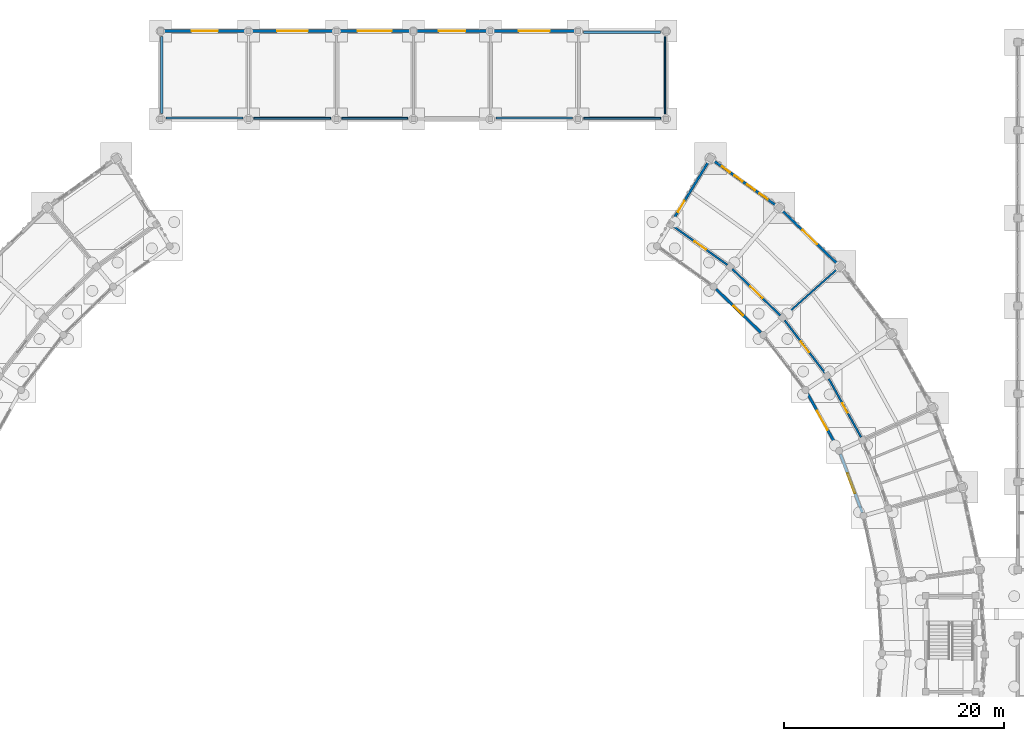
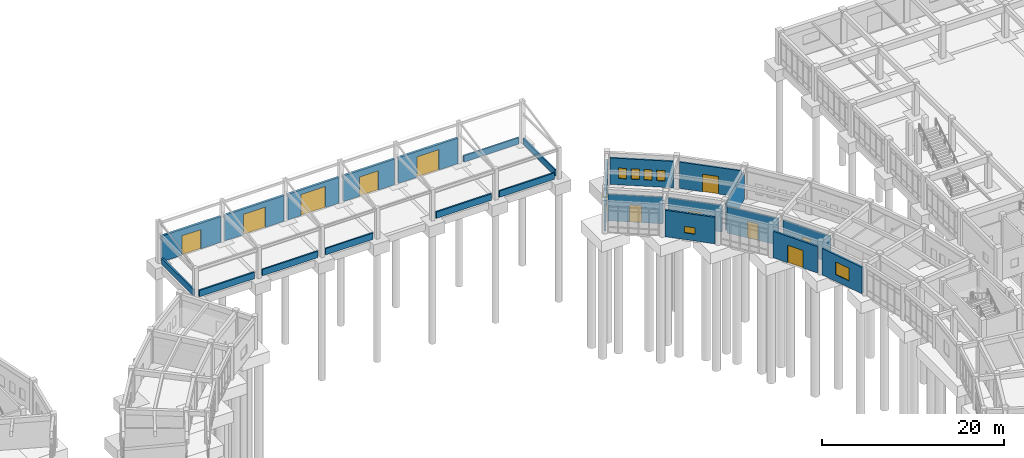
# One storey, part 131 of 153: 24 walls, 12 doors, 6 windows, 18 openings.
"""IFC4 building model written with IfcOpenShell, lengths in metres."""

from ifc_helpers import new_model, si_unit, direction, frame, frame_2d, origin, place, context, subcontext, project, spatial, rectangle, extrude, material, layer, layer_set, type_object, element, fill, save


model = new_model("IFC4")

# Units and contexts
model_context = context("Model", 3, precision=1e-05, world=origin(), true_north=direction((0.0, 1.0)))
body_context = subcontext(model_context, "Body", "Model", "MODEL_VIEW")
ifc_project = project(units=[si_unit("LENGTHUNIT", "METRE"), si_unit("AREAUNIT", "SQUARE_METRE"), si_unit("VOLUMEUNIT", "CUBIC_METRE"), si_unit("PLANEANGLEUNIT", "RADIAN"), si_unit("MASSUNIT", "GRAM", prefix="KILO")], contexts=[model_context])

# Site, building, storey
site_placement = place(None, origin())
site = spatial("IfcSite", under=ifc_project, at=site_placement, CompositionType="ELEMENT")
building_placement = place(site_placement, origin())
building = spatial("IfcBuilding", under=site, at=building_placement, Name="Celadon Cloister-Ring School", CompositionType="ELEMENT")
storey_placement = place(building_placement, origin())
storey = spatial("IfcBuildingStorey", under=building, at=storey_placement, Name="L00", CompositionType="ELEMENT", Elevation=0.0)

# Wall, opening, door
ifc_material_1 = material(Name="Rendered concrete blockwork", Category="masonry")
ifc_layer_1 = layer(ifc_material_1, 0.280029296875)
ifc_layer_set_1 = layer_set([ifc_layer_1], Name="Rendered concrete blockwork")
wall_type_1 = type_object("IfcWallType", Name="WT-EX1", PredefinedType="SOLIDWALL", material=ifc_layer_set_1)
wall_1_placement = place(storey_placement, frame((64.277099609375, 115.0, 0.0), z_axis=(0.0, 0.0, 1.0), x_axis=(1.0, 0.0, 0.0)))
wall_1 = element("IfcWall", 1, at=wall_1_placement, inside=storey, type_object=wall_type_1, Name="Exterior Wall 0569", PredefinedType="SOLIDWALL", context=body_context, shape_type="SweptSolid", body=[
    extrude(rectangle(XDim=7.495849609375, YDim=0.280029296875, at=frame_2d((3.748046875, 0.0))), origin(), (0.0, 0.0, 1.0), 3.449951171875),
])
opening_1_placement = place(wall_1_placement, frame((2.548095703125, 0.0, 0.0)))
opening_1 = element("IfcOpeningElement", 2, at=opening_1_placement, cuts=wall_1, Name="Opening D-0028", PredefinedType="OPENING", context=body_context, shape_type="SweptSolid", body=[
    extrude(rectangle(XDim=2.39990234375, YDim=2.60009765625, at=frame_2d((1.199951171875, 1.300048828125))), frame((0.0, 0.14990234375, 0.0), z_axis=(0.0, -1.0, 0.0), x_axis=(1.0, 0.0, 0.0)), (0.0, 0.0, 1.0), 0.300048828125),
])
ifc_material_2 = material(Name="Aluminium EN AW-6063 T6", Category="aluminium")
door_type_1 = type_object("IfcDoorType", Name="DG-01", OperationType="NOTDEFINED", PredefinedType="GATE", material=ifc_material_2)
door_1_placement = place(opening_1_placement, origin())
door_1 = element("IfcDoor", 3, at=door_1_placement, inside=storey, type_object=door_type_1, Name="Exterior Door D-0028", OperationType="SINGLE_SWING_RIGHT", OverallHeight=2.60009765625, OverallWidth=2.39990234375, PredefinedType="GATE", context=body_context, shape_type="SweptSolid", body=[
    extrude(rectangle(XDim=2.39990234375, YDim=2.60009765625, at=frame_2d((1.199951171875, 1.300048828125))), frame((0.0, 0.02490234375, 0.0), z_axis=(0.0, -1.0, 0.0), x_axis=(1.0, 0.0, 0.0)), (0.0, 0.0, 1.0), 0.050048828125),
])
fill(opening_1, door_1)

wall_2_placement = place(storey_placement, frame((72.22705078125, 115.0, 0.0), z_axis=(0.0, 0.0, 1.0), x_axis=(1.0, 0.0, 0.0)))
wall_2 = element("IfcWall", 4, at=wall_2_placement, inside=storey, type_object=wall_type_1, Name="Exterior Wall 0570", PredefinedType="SOLIDWALL", context=body_context, shape_type="SweptSolid", body=[
    extrude(rectangle(XDim=7.5458984375, YDim=0.280029296875, at=frame_2d((3.77294921875, 0.0))), origin(), (0.0, 0.0, 1.0), 3.449951171875),
])
opening_2_placement = place(wall_2_placement, frame((2.373046875, 0.0, 0.0)))
opening_2 = element("IfcOpeningElement", 5, at=opening_2_placement, cuts=wall_2, Name="Opening D-0029", PredefinedType="OPENING", context=body_context, shape_type="SweptSolid", body=[
    extrude(rectangle(XDim=2.800048828125, YDim=2.75, at=frame_2d((1.39990234375, 1.375))), frame((0.0, 0.14990234375, 0.0), z_axis=(0.0, -1.0, 0.0), x_axis=(1.0, 0.0, 0.0)), (0.0, 0.0, 1.0), 0.300048828125),
])
ifc_material_3 = material(Name="Aluminium EN AW-6063 T6", Category="aluminium")
door_type_2 = type_object("IfcDoorType", Name="DG-02", OperationType="NOTDEFINED", PredefinedType="GATE", material=ifc_material_3)
door_2_placement = place(opening_2_placement, origin())
door_2 = element("IfcDoor", 6, at=door_2_placement, inside=storey, type_object=door_type_2, Name="Exterior Door D-0029", OperationType="SINGLE_SWING_LEFT", OverallHeight=2.75, OverallWidth=2.800048828125, PredefinedType="GATE", context=body_context, shape_type="SweptSolid", body=[
    extrude(rectangle(XDim=2.800048828125, YDim=2.75, at=frame_2d((1.39990234375, 1.375))), frame((0.0, 0.02490234375, 0.0), z_axis=(0.0, -1.0, 0.0), x_axis=(1.0, 0.0, 0.0)), (0.0, 0.0, 1.0), 0.050048828125),
])
fill(opening_2, door_2)

wall_3_placement = place(storey_placement, frame((80.22705078125, 115.0, 0.0), z_axis=(0.0, 0.0, 1.0), x_axis=(1.0, 0.0, 0.0)))
wall_3 = element("IfcWall", 7, at=wall_3_placement, inside=storey, type_object=wall_type_1, Name="Exterior Wall 0571", PredefinedType="SOLIDWALL", context=body_context, shape_type="SweptSolid", body=[
    extrude(rectangle(XDim=6.495849609375, YDim=0.280029296875, at=frame_2d((3.248046875, 0.0))), origin(), (0.0, 0.0, 1.0), 3.449951171875),
])
opening_3_placement = place(wall_3_placement, frame((1.697998046875, 0.0, 0.0)))
opening_3 = element("IfcOpeningElement", 8, at=opening_3_placement, cuts=wall_3, Name="Opening D-0030", PredefinedType="OPENING", context=body_context, shape_type="SweptSolid", body=[
    extrude(rectangle(XDim=3.10009765625, YDim=2.85009765625, at=frame_2d((1.550048828125, 1.425048828125))), frame((0.0, 0.14990234375, 0.0), z_axis=(0.0, -1.0, 0.0), x_axis=(1.0, 0.0, 0.0)), (0.0, 0.0, 1.0), 0.300048828125),
])
ifc_material_4 = material(Name="Aluminium EN AW-6063 T6", Category="aluminium")
door_type_3 = type_object("IfcDoorType", Name="DG-03", OperationType="NOTDEFINED", PredefinedType="GATE", material=ifc_material_4)
door_3_placement = place(opening_3_placement, origin())
door_3 = element("IfcDoor", 9, at=door_3_placement, inside=storey, type_object=door_type_3, Name="Exterior Door D-0030", OperationType="SINGLE_SWING_RIGHT", OverallHeight=2.85009765625, OverallWidth=3.10009765625, PredefinedType="GATE", context=body_context, shape_type="SweptSolid", body=[
    extrude(rectangle(XDim=3.10009765625, YDim=2.85009765625, at=frame_2d((1.550048828125, 1.425048828125))), frame((0.0, 0.02490234375, 0.0), z_axis=(0.0, -1.0, 0.0), x_axis=(1.0, 0.0, 0.0)), (0.0, 0.0, 1.0), 0.050048828125),
])
fill(opening_3, door_3)

wall_4_placement = place(storey_placement, frame((87.277099609375, 115.0, 0.0), z_axis=(0.0, 0.0, 1.0), x_axis=(1.0, 0.0, 0.0)))
wall_4 = element("IfcWall", 10, at=wall_4_placement, inside=storey, type_object=wall_type_1, Name="Exterior Wall 0572", PredefinedType="SOLIDWALL", context=body_context, shape_type="SweptSolid", body=[
    extrude(rectangle(XDim=6.495849609375, YDim=0.280029296875, at=frame_2d((3.248046875, 0.0))), origin(), (0.0, 0.0, 1.0), 3.449951171875),
])
opening_4_placement = place(wall_4_placement, frame((2.048095703125, 0.0, 0.0)))
opening_4 = element("IfcOpeningElement", 11, at=opening_4_placement, cuts=wall_4, Name="Opening D-0031", PredefinedType="OPENING", context=body_context, shape_type="SweptSolid", body=[
    extrude(rectangle(XDim=2.39990234375, YDim=2.60009765625, at=frame_2d((1.199951171875, 1.300048828125))), frame((0.0, 0.14990234375, 0.0), z_axis=(0.0, -1.0, 0.0), x_axis=(1.0, 0.0, 0.0)), (0.0, 0.0, 1.0), 0.300048828125),
])
door_4_placement = place(opening_4_placement, origin())
door_4 = element("IfcDoor", 12, at=door_4_placement, inside=storey, type_object=door_type_1, Name="Exterior Door D-0031", OperationType="SINGLE_SWING_LEFT", OverallHeight=2.60009765625, OverallWidth=2.39990234375, PredefinedType="GATE", context=body_context, shape_type="SweptSolid", body=[
    extrude(rectangle(XDim=2.39990234375, YDim=2.60009765625, at=frame_2d((1.199951171875, 1.300048828125))), frame((0.0, 0.02490234375, 0.0), z_axis=(0.0, -1.0, 0.0), x_axis=(1.0, 0.0, 0.0)), (0.0, 0.0, 1.0), 0.050048828125),
])
fill(opening_4, door_4)

wall_5_placement = place(storey_placement, frame((94.22705078125, 115.0, 0.0), z_axis=(0.0, 0.0, 1.0), x_axis=(1.0, 0.0, 0.0)))
wall_5 = element("IfcWall", 13, at=wall_5_placement, inside=storey, type_object=wall_type_1, Name="Exterior Wall 0573", PredefinedType="SOLIDWALL", context=body_context, shape_type="SweptSolid", body=[
    extrude(rectangle(XDim=7.5458984375, YDim=0.280029296875, at=frame_2d((3.77294921875, 0.0))), origin(), (0.0, 0.0, 1.0), 3.449951171875),
])
opening_5_placement = place(wall_5_placement, frame((2.373046875, 0.0, 0.0)))
opening_5 = element("IfcOpeningElement", 14, at=opening_5_placement, cuts=wall_5, Name="Opening D-0032", PredefinedType="OPENING", context=body_context, shape_type="SweptSolid", body=[
    extrude(rectangle(XDim=2.800048828125, YDim=2.75, at=frame_2d((1.39990234375, 1.375))), frame((0.0, 0.14990234375, 0.0), z_axis=(0.0, -1.0, 0.0), x_axis=(1.0, 0.0, 0.0)), (0.0, 0.0, 1.0), 0.300048828125),
])
door_5_placement = place(opening_5_placement, origin())
door_5 = element("IfcDoor", 15, at=door_5_placement, inside=storey, type_object=door_type_2, Name="Exterior Door D-0032", OperationType="SINGLE_SWING_RIGHT", OverallHeight=2.75, OverallWidth=2.800048828125, PredefinedType="GATE", context=body_context, shape_type="SweptSolid", body=[
    extrude(rectangle(XDim=2.800048828125, YDim=2.75, at=frame_2d((1.39990234375, 1.375))), frame((0.0, 0.02490234375, 0.0), z_axis=(0.0, -1.0, 0.0), x_axis=(1.0, 0.0, 0.0)), (0.0, 0.0, 1.0), 0.050048828125),
])
fill(opening_5, door_5)

# Wall, opening, window
ifc_material_5 = material(Name="Rendered concrete blockwork", Category="masonry")
ifc_layer_2 = layer(ifc_material_5, 0.239990234375)
ifc_layer_set_2 = layer_set([ifc_layer_2], Name="Rendered concrete blockwork")
wall_type_2 = type_object("IfcWallType", Name="WT-EX3", PredefinedType="SOLIDWALL", material=ifc_layer_set_2)
wall_6_placement = place(storey_placement, frame((127.843017578125, 71.205078125, 0.0), z_axis=(0.0, 0.0, 1.0), x_axis=(-0.349503004543, 0.936935243128, 0.0)))
wall_6 = element("IfcWall", 16, at=wall_6_placement, inside=storey, type_object=wall_type_2, Name="Exterior Wall 0044", PredefinedType="SOLIDWALL", context=body_context, shape_type="SweptSolid", body=[
    extrude(rectangle(XDim=5.6650390625, YDim=0.239990234375, at=frame_2d((2.83251953125, 0.0))), origin(), (0.0, 0.0, 1.0), 3.550048828125),
])
opening_6_placement = place(wall_6_placement, frame((1.85791015625, 0.0, 0.89990234375)))
opening_6 = element("IfcOpeningElement", 17, at=opening_6_placement, cuts=wall_6, Name="Opening WN-46", PredefinedType="OPENING", context=body_context, shape_type="SweptSolid", body=[
    extrude(rectangle(XDim=1.949951171875, YDim=1.699951171875, at=frame_2d((0.97509765625, 0.85009765625))), frame((0.0, 0.1298828125, 0.0), z_axis=(0.0, -1.0, 0.0), x_axis=(1.0, 0.0, 0.0)), (0.0, 0.0, 1.0), 0.260009765625),
])
ifc_material_6 = material(Name="Tempered laminated insulating glass", Category="glass")
window_type_1 = type_object("IfcWindowType", Name="WN-46", PartitioningType="DOUBLE_PANEL_VERTICAL", PredefinedType="WINDOW", material=ifc_material_6)
window_1_placement = place(opening_6_placement, origin())
window_1 = element("IfcWindow", 18, at=window_1_placement, inside=storey, type_object=window_type_1, Name="Window 0114", OverallHeight=1.699951171875, OverallWidth=1.949951171875, PartitioningType="SINGLE_PANEL", PredefinedType="WINDOW", context=body_context, shape_type="SweptSolid", body=[
    extrude(rectangle(XDim=1.949951171875, YDim=1.699951171875, at=frame_2d((0.97509765625, 0.85009765625))), frame((0.0, 0.030029296875, 0.0), z_axis=(0.0, -1.0, 0.0), x_axis=(1.0, 0.0, 0.0)), (0.0, 0.0, 1.0), 0.06005859375),
])
fill(opening_6, window_1)

# Wall, opening, door
wall_7_placement = place(storey_placement, frame((125.591064453125, 77.10498046875, 0.0), z_axis=(0.0, 0.0, 1.0), x_axis=(-0.483955379171, 0.875092675647, 0.0)))
wall_7 = element("IfcWall", 19, at=wall_7_placement, inside=storey, type_object=wall_type_2, Name="Exterior Wall 0046", PredefinedType="SOLIDWALL", context=body_context, shape_type="SweptSolid", body=[
    extrude(rectangle(XDim=5.665771484375, YDim=0.239990234375, at=frame_2d((2.8330078125, 0.0))), origin(), (0.0, 0.0, 1.0), 3.550048828125),
])
opening_7_placement = place(wall_7_placement, frame((1.8330078125, 0.0, 0.0)))
opening_7 = element("IfcOpeningElement", 20, at=opening_7_placement, cuts=wall_7, Name="Opening D-0007", PredefinedType="OPENING", context=body_context, shape_type="SweptSolid", body=[
    extrude(rectangle(XDim=2.0, YDim=2.35009765625, at=frame_2d((1.0, 1.175048828125))), frame((0.0, 0.1298828125, 0.0), z_axis=(0.0, -1.0, 0.0), x_axis=(1.0, 0.0, 0.0)), (0.0, 0.0, 1.0), 0.260009765625),
])
ifc_material_7 = material(Name="Aluminium EN AW-6063 T6", Category="aluminium")
door_type_4 = type_object("IfcDoorType", Name="DE-11", OperationType="NOTDEFINED", PredefinedType="DOOR", material=ifc_material_7)
door_6_placement = place(opening_7_placement, origin())
door_6 = element("IfcDoor", 21, at=door_6_placement, inside=storey, type_object=door_type_4, Name="Exterior Door D-0007", OperationType="SINGLE_SWING_LEFT", OverallHeight=2.35009765625, OverallWidth=2.0, PredefinedType="DOOR", context=body_context, shape_type="SweptSolid", body=[
    extrude(rectangle(XDim=2.0, YDim=2.35009765625, at=frame_2d((1.0, 1.175048828125))), frame((0.0, 0.02490234375, 0.0), z_axis=(0.0, -1.0, 0.0), x_axis=(1.0, 0.0, 0.0)), (0.0, 0.0, 1.0), 0.050048828125),
])
fill(opening_7, door_6)

# Wall, opening, window
wall_8_placement = place(storey_placement, frame((118.614990234375, 87.592041015625, 0.0), z_axis=(0.0, 0.0, 1.0), x_axis=(-0.718413161099, 0.695616654458, 0.0)))
wall_8 = element("IfcWall", 22, at=wall_8_placement, inside=storey, type_object=wall_type_2, Name="Exterior Wall 0049", PredefinedType="SOLIDWALL", context=body_context, shape_type="SweptSolid", body=[
    extrude(rectangle(XDim=5.665283203125, YDim=0.239990234375, at=frame_2d((2.83251953125, 0.0))), origin(), (0.0, 0.0, 1.0), 3.550048828125),
])
opening_8_placement = place(wall_8_placement, frame((2.23291015625, 0.0, 0.89990234375)))
opening_8 = element("IfcOpeningElement", 23, at=opening_8_placement, cuts=wall_8, Name="Opening WN-49", PredefinedType="OPENING", context=body_context, shape_type="SweptSolid", body=[
    extrude(rectangle(XDim=1.199951171875, YDim=0.85009765625, at=frame_2d((0.60009765625, 0.425048828125))), frame((0.0, 0.1298828125, 0.0), z_axis=(0.0, -1.0, 0.0), x_axis=(1.0, 0.0, 0.0)), (0.0, 0.0, 1.0), 0.260009765625),
])
ifc_material_8 = material(Name="Tempered laminated insulating glass", Category="glass")
window_type_2 = type_object("IfcWindowType", Name="WN-49", PartitioningType="SINGLE_PANEL", PredefinedType="WINDOW", material=ifc_material_8)
window_2_placement = place(opening_8_placement, origin())
window_2 = element("IfcWindow", 24, at=window_2_placement, inside=storey, type_object=window_type_2, Name="Window 0123", OverallHeight=0.85009765625, OverallWidth=1.199951171875, PartitioningType="SINGLE_PANEL", PredefinedType="WINDOW", context=body_context, shape_type="SweptSolid", body=[
    extrude(rectangle(XDim=1.199951171875, YDim=0.85009765625, at=frame_2d((0.60009765625, 0.425048828125))), frame((0.0, 0.030029296875, 0.0), z_axis=(0.0, -1.0, 0.0), x_axis=(1.0, 0.0, 0.0)), (0.0, 0.0, 1.0), 0.06005859375),
])
fill(opening_8, window_2)

# Wall, opening, door
ifc_material_9 = material(Name="Perforated terracotta clay brick masonry", Category="masonry")
ifc_layer_3 = layer(ifc_material_9, 0.219970703125)
ifc_layer_set_3 = layer_set([ifc_layer_3], Name="Perforated terracotta clay brick masonry")
wall_type_3 = type_object("IfcWallType", Name="WT-EX4", PredefinedType="SOLIDWALL", material=ifc_layer_set_3)
wall_9_placement = place(storey_placement, frame((120.5380859375, 98.70703125, 0.0), z_axis=(0.0, 0.0, 1.0), x_axis=(0.718677705088, -0.695343336927, 0.0)))
wall_9 = element("IfcWall", 25, at=wall_9_placement, inside=storey, type_object=wall_type_3, Name="Exterior Wall 0048", PredefinedType="SOLIDWALL", context=body_context, shape_type="SweptSolid", body=[
    extrude(rectangle(XDim=7.031005859375, YDim=0.219970703125, at=frame_2d((3.515625, 0.0))), origin(), (0.0, 0.0, 1.0), 3.550048828125),
])
opening_9_placement = place(wall_9_placement, frame((2.591064453125, 0.0, 0.0)))
opening_9 = element("IfcOpeningElement", 26, at=opening_9_placement, cuts=wall_9, Name="Opening D-0008", PredefinedType="OPENING", context=body_context, shape_type="SweptSolid", body=[
    extrude(rectangle(XDim=1.85009765625, YDim=2.35009765625, at=frame_2d((0.925048828125, 1.175048828125))), frame((0.0, 0.1201171875, 0.0), z_axis=(0.0, -1.0, 0.0), x_axis=(1.0, 0.0, 0.0)), (0.0, 0.0, 1.0), 0.239990234375),
])
ifc_material_10 = material(Name="Aluminium EN AW-6063 T6", Category="aluminium")
door_type_5 = type_object("IfcDoorType", Name="DE-10", OperationType="NOTDEFINED", PredefinedType="DOOR", material=ifc_material_10)
door_7_placement = place(opening_9_placement, origin())
door_7 = element("IfcDoor", 27, at=door_7_placement, inside=storey, type_object=door_type_5, Name="Exterior Door D-0008", OperationType="SINGLE_SWING_RIGHT", OverallHeight=2.35009765625, OverallWidth=1.85009765625, PredefinedType="DOOR", context=body_context, shape_type="SweptSolid", body=[
    extrude(rectangle(XDim=1.85009765625, YDim=2.35009765625, at=frame_2d((0.925048828125, 1.175048828125))), frame((0.0, 0.02490234375, 0.0), z_axis=(0.0, -1.0, 0.0), x_axis=(1.0, 0.0, 0.0)), (0.0, 0.0, 1.0), 0.050048828125),
])
fill(opening_9, door_7)

# Wall, openings, windows
wall_10_placement = place(storey_placement, frame((114.303955078125, 103.22705078125, 0.0), z_axis=(0.0, 0.0, 1.0), x_axis=(0.81337207515, -0.581743815924, 0.0)))
wall_10 = element("IfcWall", 28, at=wall_10_placement, inside=storey, type_object=wall_type_3, Name="Exterior Wall 0050", PredefinedType="SOLIDWALL", context=body_context, shape_type="SweptSolid", body=[
    extrude(rectangle(XDim=7.032470703125, YDim=0.219970703125, at=frame_2d((3.51611328125, 0.0))), origin(), (0.0, 0.0, 1.0), 3.550048828125),
])
opening_10_placement = place(wall_10_placement, frame((0.9560546875, 0.0, 0.85009765625)))
opening_10 = element("IfcOpeningElement", 29, at=opening_10_placement, cuts=wall_10, Name="Opening WN-21", PredefinedType="OPENING", context=body_context, shape_type="SweptSolid", body=[
    extrude(rectangle(XDim=0.89990234375, YDim=1.39990234375, at=frame_2d((0.449951171875, 0.699951171875))), frame((0.0, 0.1201171875, 0.0), z_axis=(0.0, -1.0, 0.0), x_axis=(1.0, 0.0, 0.0)), (0.0, 0.0, 1.0), 0.239990234375),
])
opening_11_placement = place(wall_10_placement, frame((2.363037109375, 0.0, 0.85009765625)))
opening_11 = element("IfcOpeningElement", 30, at=opening_11_placement, cuts=wall_10, Name="Opening WN-21", PredefinedType="OPENING", context=body_context, shape_type="SweptSolid", body=[
    extrude(rectangle(XDim=0.89990234375, YDim=1.39990234375, at=frame_2d((0.449951171875, 0.699951171875))), frame((0.0, 0.1201171875, 0.0), z_axis=(0.0, -1.0, 0.0), x_axis=(1.0, 0.0, 0.0)), (0.0, 0.0, 1.0), 0.239990234375),
])
opening_12_placement = place(wall_10_placement, frame((3.76904296875, 0.0, 0.85009765625)))
opening_12 = element("IfcOpeningElement", 31, at=opening_12_placement, cuts=wall_10, Name="Opening WN-21", PredefinedType="OPENING", context=body_context, shape_type="SweptSolid", body=[
    extrude(rectangle(XDim=0.89990234375, YDim=1.39990234375, at=frame_2d((0.449951171875, 0.699951171875))), frame((0.0, 0.1201171875, 0.0), z_axis=(0.0, -1.0, 0.0), x_axis=(1.0, 0.0, 0.0)), (0.0, 0.0, 1.0), 0.239990234375),
])
opening_13_placement = place(wall_10_placement, frame((5.176025390625, 0.0, 0.85009765625)))
opening_13 = element("IfcOpeningElement", 32, at=opening_13_placement, cuts=wall_10, Name="Opening WN-21", PredefinedType="OPENING", context=body_context, shape_type="SweptSolid", body=[
    extrude(rectangle(XDim=0.89990234375, YDim=1.39990234375, at=frame_2d((0.449951171875, 0.699951171875))), frame((0.0, 0.1201171875, 0.0), z_axis=(0.0, -1.0, 0.0), x_axis=(1.0, 0.0, 0.0)), (0.0, 0.0, 1.0), 0.239990234375),
])
ifc_material_11 = material(Name="Tempered laminated insulating glass", Category="glass")
window_type_3 = type_object("IfcWindowType", Name="WN-21", PartitioningType="SINGLE_PANEL", PredefinedType="WINDOW", material=ifc_material_11)
window_3_placement = place(opening_10_placement, origin())
window_3 = element("IfcWindow", 33, at=window_3_placement, inside=storey, type_object=window_type_3, Name="Window 0124", OverallHeight=1.39990234375, OverallWidth=0.89990234375, PartitioningType="SINGLE_PANEL", PredefinedType="WINDOW", context=body_context, shape_type="SweptSolid", body=[
    extrude(rectangle(XDim=0.89990234375, YDim=1.39990234375, at=frame_2d((0.449951171875, 0.699951171875))), frame((0.0, 0.030029296875, 0.0), z_axis=(0.0, -1.0, 0.0), x_axis=(1.0, 0.0, 0.0)), (0.0, 0.0, 1.0), 0.06005859375),
])
fill(opening_10, window_3)
window_4_placement = place(opening_11_placement, origin())
window_4 = element("IfcWindow", 34, at=window_4_placement, inside=storey, type_object=window_type_3, Name="Window 0125", OverallHeight=1.39990234375, OverallWidth=0.89990234375, PartitioningType="SINGLE_PANEL", PredefinedType="WINDOW", context=body_context, shape_type="SweptSolid", body=[
    extrude(rectangle(XDim=0.89990234375, YDim=1.39990234375, at=frame_2d((0.449951171875, 0.699951171875))), frame((0.0, 0.030029296875, 0.0), z_axis=(0.0, -1.0, 0.0), x_axis=(1.0, 0.0, 0.0)), (0.0, 0.0, 1.0), 0.06005859375),
])
fill(opening_11, window_4)
window_5_placement = place(opening_12_placement, origin())
window_5 = element("IfcWindow", 35, at=window_5_placement, inside=storey, type_object=window_type_3, Name="Window 0126", OverallHeight=1.39990234375, OverallWidth=0.89990234375, PartitioningType="SINGLE_PANEL", PredefinedType="WINDOW", context=body_context, shape_type="SweptSolid", body=[
    extrude(rectangle(XDim=0.89990234375, YDim=1.39990234375, at=frame_2d((0.449951171875, 0.699951171875))), frame((0.0, 0.030029296875, 0.0), z_axis=(0.0, -1.0, 0.0), x_axis=(1.0, 0.0, 0.0)), (0.0, 0.0, 1.0), 0.06005859375),
])
fill(opening_12, window_5)
window_6_placement = place(opening_13_placement, origin())
window_6 = element("IfcWindow", 36, at=window_6_placement, inside=storey, type_object=window_type_3, Name="Window 0127", OverallHeight=1.39990234375, OverallWidth=0.89990234375, PartitioningType="SINGLE_PANEL", PredefinedType="WINDOW", context=body_context, shape_type="SweptSolid", body=[
    extrude(rectangle(XDim=0.89990234375, YDim=1.39990234375, at=frame_2d((0.449951171875, 0.699951171875))), frame((0.0, 0.030029296875, 0.0), z_axis=(0.0, -1.0, 0.0), x_axis=(1.0, 0.0, 0.0)), (0.0, 0.0, 1.0), 0.06005859375),
])
fill(opening_13, window_6)

# Wall, opening, door
wall_11_placement = place(storey_placement, frame((109.340087890625, 95.714111328125, 0.0), z_axis=(0.0, 0.0, 1.0), x_axis=(0.519865008616, 0.854248425703, 0.0)))
wall_11 = element("IfcWall", 37, at=wall_11_placement, inside=storey, type_object=wall_type_3, Name="Exterior Wall 0052", PredefinedType="SOLIDWALL", context=body_context, shape_type="SweptSolid", body=[
    extrude(rectangle(XDim=8.696533203125, YDim=0.219970703125, at=frame_2d((4.34814453125, 0.0))), origin(), (0.0, 0.0, 1.0), 3.550048828125),
])
opening_14_placement = place(wall_11_placement, frame((3.31298828125, 0.0, 0.0)))
opening_14 = element("IfcOpeningElement", 38, at=opening_14_placement, cuts=wall_11, Name="Opening D-0010", PredefinedType="OPENING", context=body_context, shape_type="SweptSolid", body=[
    extrude(rectangle(XDim=1.199951171875, YDim=2.14990234375, at=frame_2d((0.60009765625, 1.074951171875))), frame((0.0, 0.1201171875, 0.0), z_axis=(0.0, -1.0, 0.0), x_axis=(1.0, 0.0, 0.0)), (0.0, 0.0, 1.0), 0.239990234375),
])
ifc_material_12 = material(Name="Aluminium EN AW-6063 T6", Category="aluminium")
door_type_6 = type_object("IfcDoorType", Name="DE-03", OperationType="NOTDEFINED", PredefinedType="DOOR", material=ifc_material_12)
door_8_placement = place(opening_14_placement, origin())
door_8 = element("IfcDoor", 39, at=door_8_placement, inside=storey, type_object=door_type_6, Name="Exterior Door D-0010", OperationType="SINGLE_SWING_RIGHT", OverallHeight=2.14990234375, OverallWidth=1.199951171875, PredefinedType="DOOR", context=body_context, shape_type="SweptSolid", body=[
    extrude(rectangle(XDim=1.199951171875, YDim=2.14990234375, at=frame_2d((0.60009765625, 1.074951171875))), frame((0.0, 0.02490234375, 0.0), z_axis=(0.0, -1.0, 0.0), x_axis=(1.0, 0.0, 0.0)), (0.0, 0.0, 1.0), 0.050048828125),
])
fill(opening_14, door_8)

# Walls
ifc_material_13 = material(Name="Concrete C35/45", Category="concrete")
ifc_layer_4 = layer(ifc_material_13, 0.199951171875)
ifc_layer_set_4 = layer_set([ifc_layer_4], Name="Concrete C35/45")
wall_type_4 = type_object("IfcWallType", Name="WT-PA1", PredefinedType="PARAPET", material=ifc_layer_set_4)
for number, where, z_axis, x_axis, name in (
    (40, (64.5, 107.10009765625, 0.0), (0.0, 0.0, 1.0), (1.0, 0.0, 0.0), "Courtyard Plinth Parapet 01"),
    (41, (94.5, 107.10009765625, 0.0), (0.0, 0.0, 1.0), (1.0, 0.0, 0.0), "Courtyard Plinth Parapet 03"),
    (42, (64.10009765625, 107.5, 0.0), (0.0, 0.0, 1.0), (0.0, 1.0, 0.0), "Courtyard Plinth Parapet 05"),
    (43, (102.5, 114.89990234375, 0.0), (0.0, 0.0, 1.0), (1.0, 0.0, 0.0), "Courtyard Plinth Parapet 07"),
):
    element("IfcWall", number, at=place(storey_placement, frame(where, z_axis=z_axis, x_axis=x_axis)), inside=storey, type_object=wall_type_4, Name=name, PredefinedType="PARAPET", context=body_context, shape_type="SweptSolid", body=[
        extrude(rectangle(XDim=7.0, YDim=0.199951171875, at=frame_2d((3.5, 0.0))), origin(), (0.0, 0.0, 1.0), 0.85009765625),
    ])
ifc_material_14 = material(Name="Concrete C35/45", Category="concrete")
ifc_layer_5 = layer(ifc_material_14, 0.179931640625)
ifc_layer_set_5 = layer_set([ifc_layer_5], Name="Concrete C35/45")
wall_type_5 = type_object("IfcWallType", Name="WT-PA2", PredefinedType="PARAPET", material=ifc_layer_set_5)
for number, where, z_axis, x_axis, name in (
    (44, (72.5, 107.10009765625, 0.0), (0.0, 0.0, 1.0), (1.0, 0.0, 0.0), "Courtyard Plinth Parapet 02"),
    (45, (102.5, 107.10009765625, 0.0), (0.0, 0.0, 1.0), (1.0, 0.0, 0.0), "Courtyard Plinth Parapet 04"),
    (46, (109.89990234375, 107.5, 0.0), (0.0, 0.0, 1.0), (0.0, 1.0, 0.0), "Courtyard Plinth Parapet 06"),
):
    element("IfcWall", number, at=place(storey_placement, frame(where, z_axis=z_axis, x_axis=x_axis)), inside=storey, type_object=wall_type_5, Name=name, PredefinedType="PARAPET", context=body_context, shape_type="SweptSolid", body=[
        extrude(rectangle(XDim=7.0, YDim=0.179931640625, at=frame_2d((3.5, 0.0))), origin(), (0.0, 0.0, 1.0), 0.85009765625),
    ])
wall_12_placement = place(storey_placement, frame((80.5, 107.10009765625, 0.0), z_axis=(0.0, 0.0, 1.0), x_axis=(1.0, 0.0, 0.0)))
element("IfcWall", 47, at=wall_12_placement, inside=storey, type_object=wall_type_5, Name="Courtyard Plinth Parapet 08", PredefinedType="PARAPET", context=body_context, shape_type="SweptSolid", body=[
    extrude(rectangle(XDim=6.0, YDim=0.179931640625, at=frame_2d((3.0, 0.0))), origin(), (0.0, 0.0, 1.0), 0.85009765625),
])

# Wall, opening, door
ifc_material_15 = material(Name="Plastered hollow concrete masonry", Category="masonry")
ifc_layer_6 = layer(ifc_material_15, 0.179931640625)
ifc_layer_set_6 = layer_set([ifc_layer_6], Name="Plastered hollow concrete masonry")
wall_type_6 = type_object("IfcWallType", Name="WT-PT2", PredefinedType="PARTITIONING", material=ifc_layer_set_6)
wall_13_placement = place(storey_placement, frame((127.741943359375, 78.056884765625, 0.0), z_axis=(0.0, 0.0, 1.0), x_axis=(-0.483784040094, 0.875187409959, 0.0)))
wall_13 = element("IfcWall", 48, at=wall_13_placement, inside=storey, type_object=wall_type_6, Name="Interior Wall 0479", PredefinedType="PARTITIONING", context=body_context, shape_type="SweptSolid", body=[
    extrude(rectangle(XDim=6.0810546875, YDim=0.179931640625, at=frame_2d((3.04052734375, 0.0))), origin(), (0.0, 0.0, 1.0), 3.572021484375),
])
opening_15_placement = place(wall_13_placement, frame((2.551025390625, 0.0, 0.0)))
opening_15 = element("IfcOpeningElement", 49, at=opening_15_placement, cuts=wall_13, Name="Opening D-0140", PredefinedType="OPENING", context=body_context, shape_type="SweptSolid", body=[
    extrude(rectangle(XDim=0.97998046875, YDim=2.199951171875, at=frame_2d((0.489990234375, 1.10009765625))), frame((0.0, 0.10009765625, 0.0), z_axis=(0.0, -1.0, 0.0), x_axis=(1.0, 0.0, 0.0)), (0.0, 0.0, 1.0), 0.199951171875),
])
ifc_material_16 = material(Name="Solid-core fire-rated hardwood leaf", Category="wood")
door_type_7 = type_object("IfcDoorType", Name="DT-07", OperationType="NOTDEFINED", PredefinedType="DOOR", material=ifc_material_16)
door_9_placement = place(opening_15_placement, origin())
door_9 = element("IfcDoor", 50, at=door_9_placement, inside=storey, type_object=door_type_7, Name="Door D-0140", OperationType="SINGLE_SWING_RIGHT", OverallHeight=2.199951171875, OverallWidth=0.97998046875, PredefinedType="DOOR", context=body_context, shape_type="SweptSolid", body=[
    extrude(rectangle(XDim=0.97998046875, YDim=2.199951171875, at=frame_2d((0.489990234375, 1.10009765625))), frame((0.0, 0.02490234375, 0.0), z_axis=(0.0, -1.0, 0.0), x_axis=(1.0, 0.0, 0.0)), (0.0, 0.0, 1.0), 0.050048828125),
])
fill(opening_15, door_9)

wall_14_placement = place(storey_placement, frame((124.47998046875, 83.866943359375, 0.0), z_axis=(0.0, 0.0, 1.0), x_axis=(-0.607883612756, 0.794026141473, 0.0)))
wall_14 = element("IfcWall", 51, at=wall_14_placement, inside=storey, type_object=wall_type_6, Name="Interior Wall 0480", PredefinedType="PARTITIONING", context=body_context, shape_type="SweptSolid", body=[
    extrude(rectangle(XDim=6.081787109375, YDim=0.179931640625, at=frame_2d((3.041015625, 0.0))), origin(), (0.0, 0.0, 1.0), 3.572021484375),
])
opening_16_placement = place(wall_14_placement, frame((2.416015625, 0.0, 0.0)))
opening_16 = element("IfcOpeningElement", 52, at=opening_16_placement, cuts=wall_14, Name="Opening D-0141", PredefinedType="OPENING", context=body_context, shape_type="SweptSolid", body=[
    extrude(rectangle(XDim=1.25, YDim=2.199951171875, at=frame_2d((0.625, 1.10009765625))), frame((0.0, 0.10009765625, 0.0), z_axis=(0.0, -1.0, 0.0), x_axis=(1.0, 0.0, 0.0)), (0.0, 0.0, 1.0), 0.199951171875),
])
ifc_material_17 = material(Name="Galvanised fire-rated hollow steel leaf", Category="steel")
door_type_8 = type_object("IfcDoorType", Name="DT-10", OperationType="NOTDEFINED", PredefinedType="DOOR", material=ifc_material_17)
door_10_placement = place(opening_16_placement, origin())
door_10 = element("IfcDoor", 53, at=door_10_placement, inside=storey, type_object=door_type_8, Name="Door D-0141", OperationType="SINGLE_SWING_LEFT", OverallHeight=2.199951171875, OverallWidth=1.25, PredefinedType="DOOR", context=body_context, shape_type="SweptSolid", body=[
    extrude(rectangle(XDim=1.25, YDim=2.199951171875, at=frame_2d((0.625, 1.10009765625))), frame((0.0, 0.02490234375, 0.0), z_axis=(0.0, -1.0, 0.0), x_axis=(1.0, 0.0, 0.0)), (0.0, 0.0, 1.0), 0.050048828125),
])
fill(opening_16, door_10)

wall_15_placement = place(storey_placement, frame((120.39501953125, 89.132080078125, 0.0), z_axis=(0.0, 0.0, 1.0), x_axis=(-0.7186137907, 0.695409390084, 0.0)))
wall_15 = element("IfcWall", 54, at=wall_15_placement, inside=storey, type_object=wall_type_6, Name="Interior Wall 0481", PredefinedType="PARTITIONING", context=body_context, shape_type="SweptSolid", body=[
    extrude(rectangle(XDim=6.081298828125, YDim=0.179931640625, at=frame_2d((3.04052734375, 0.0))), origin(), (0.0, 0.0, 1.0), 3.572021484375),
])
opening_17_placement = place(wall_15_placement, frame((2.26611328125, 0.0, 0.0)))
opening_17 = element("IfcOpeningElement", 55, at=opening_17_placement, cuts=wall_15, Name="Opening D-0142", PredefinedType="OPENING", context=body_context, shape_type="SweptSolid", body=[
    extrude(rectangle(XDim=1.550048828125, YDim=2.199951171875, at=frame_2d((0.77490234375, 1.10009765625))), frame((0.0, 0.10009765625, 0.0), z_axis=(0.0, -1.0, 0.0), x_axis=(1.0, 0.0, 0.0)), (0.0, 0.0, 1.0), 0.199951171875),
])
ifc_material_18 = material(Name="Galvanised fire-rated hollow steel leaf", Category="steel")
door_type_9 = type_object("IfcDoorType", Name="DT-13", OperationType="NOTDEFINED", PredefinedType="DOOR", material=ifc_material_18)
door_11_placement = place(opening_17_placement, origin())
door_11 = element("IfcDoor", 56, at=door_11_placement, inside=storey, type_object=door_type_9, Name="Door D-0142", OperationType="SINGLE_SWING_RIGHT", OverallHeight=2.199951171875, OverallWidth=1.550048828125, PredefinedType="DOOR", context=body_context, shape_type="SweptSolid", body=[
    extrude(rectangle(XDim=1.550048828125, YDim=2.199951171875, at=frame_2d((0.77490234375, 1.10009765625))), frame((0.0, 0.02490234375, 0.0), z_axis=(0.0, -1.0, 0.0), x_axis=(1.0, 0.0, 0.0)), (0.0, 0.0, 1.0), 0.050048828125),
])
fill(opening_17, door_11)

wall_16_placement = place(storey_placement, frame((115.576904296875, 93.735107421875, 0.0), z_axis=(0.0, 0.0, 1.0), x_axis=(-0.813478411551, 0.581595111688, 0.0)))
wall_16 = element("IfcWall", 57, at=wall_16_placement, inside=storey, type_object=wall_type_6, Name="Interior Wall 0482", PredefinedType="PARTITIONING", context=body_context, shape_type="SweptSolid", body=[
    extrude(rectangle(XDim=6.081298828125, YDim=0.179931640625, at=frame_2d((3.04052734375, 0.0))), origin(), (0.0, 0.0, 1.0), 3.572021484375),
])
opening_18_placement = place(wall_16_placement, frame((2.39111328125, 0.0, 0.0)))
opening_18 = element("IfcOpeningElement", 58, at=opening_18_placement, cuts=wall_16, Name="Opening D-0143", PredefinedType="OPENING", context=body_context, shape_type="SweptSolid", body=[
    extrude(rectangle(XDim=1.300048828125, YDim=2.280029296875, at=frame_2d((0.64990234375, 1.14013671875))), frame((0.0, 0.10009765625, 0.0), z_axis=(0.0, -1.0, 0.0), x_axis=(1.0, 0.0, 0.0)), (0.0, 0.0, 1.0), 0.199951171875),
])
ifc_material_19 = material(Name="Galvanised fire-rated hollow steel leaf", Category="steel")
door_type_10 = type_object("IfcDoorType", Name="DT-16", OperationType="NOTDEFINED", PredefinedType="DOOR", material=ifc_material_19)
door_12_placement = place(opening_18_placement, origin())
door_12 = element("IfcDoor", 59, at=door_12_placement, inside=storey, type_object=door_type_10, Name="Door D-0143", OperationType="SINGLE_SWING_LEFT", OverallHeight=2.280029296875, OverallWidth=1.300048828125, PredefinedType="DOOR", context=body_context, shape_type="SweptSolid", body=[
    extrude(rectangle(XDim=1.300048828125, YDim=2.280029296875, at=frame_2d((0.64990234375, 1.14013671875))), frame((0.0, 0.02490234375, 0.0), z_axis=(0.0, -1.0, 0.0), x_axis=(1.0, 0.0, 0.0)), (0.0, 0.0, 1.0), 0.050048828125),
])
fill(opening_18, door_12)

# Wall
ifc_material_20 = material(Name="Plastered hollow concrete masonry", Category="masonry")
ifc_layer_7 = layer(ifc_material_20, 0.159912109375)
ifc_layer_set_7 = layer_set([ifc_layer_7], Name="Plastered hollow concrete masonry")
wall_type_7 = type_object("IfcWallType", Name="WT-PT3", PredefinedType="PARTITIONING", material=ifc_layer_set_7)
wall_17_placement = place(storey_placement, frame((120.822998046875, 89.1220703125, 0.0), z_axis=(0.0, 0.0, 1.0), x_axis=(0.746692270919, 0.665169641934, 0.0)))
element("IfcWall", 60, at=wall_17_placement, inside=storey, type_object=wall_type_7, Name="Interior Wall 0447", PredefinedType="PARTITIONING", context=body_context, shape_type="SweptSolid", body=[
    extrude(rectangle(XDim=6.390869140625, YDim=0.159912109375, at=frame_2d((3.1953125, 0.0))), origin(), (0.0, 0.0, 1.0), 3.572021484375),
])

save(model, "model.ifc")
